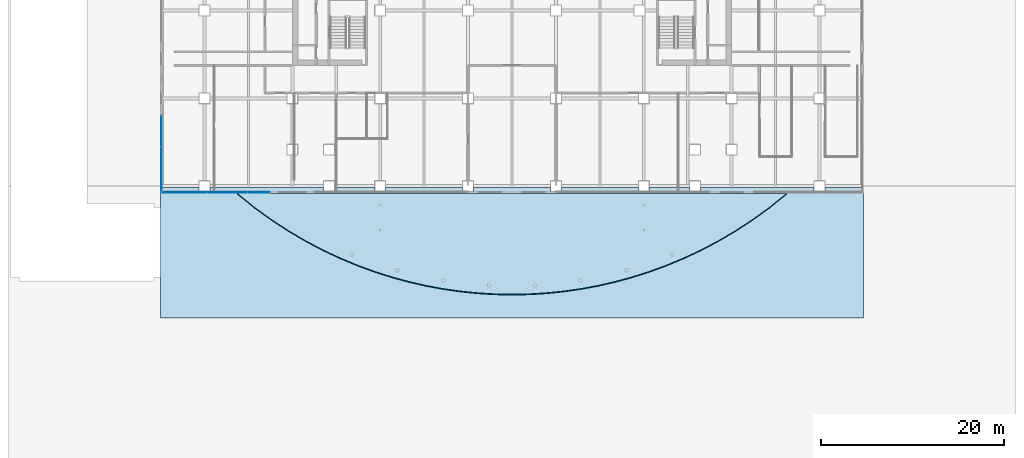
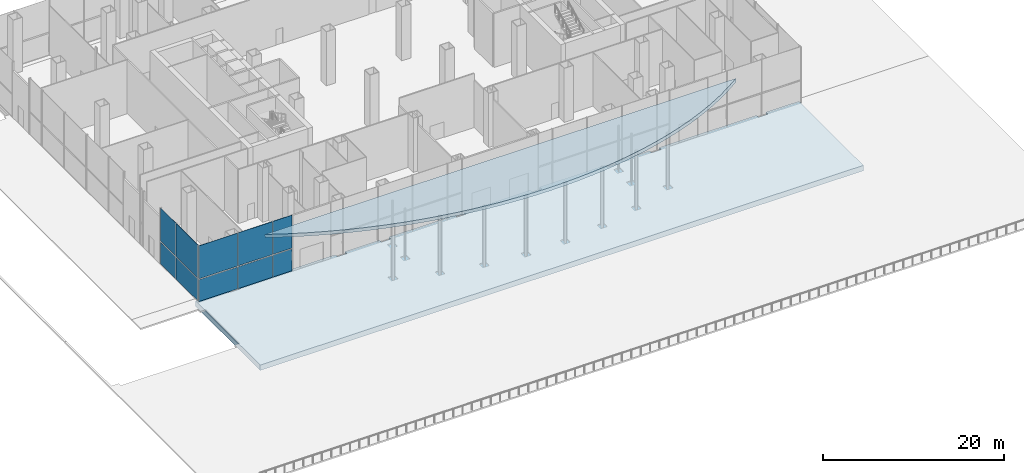
# One storey, part 20 of 36: 10 plates, 2 slabs, 2 elements without a shape of their own.
"""IFC4 building model written with IfcOpenShell, lengths in metres."""

from ifc_helpers import new_model, si_unit, direction, frame, origin, origin_2d, place, context, subcontext, project, spatial, polyline, rectangle, outline, extrude, material, layer, layer_set, type_object, element, aggregate, save


model = new_model("IFC4")

# Units and contexts
model_context = context("Model", 3, precision=1e-05, world=origin(), true_north=direction((0.0, 1.0)))
body_context = subcontext(model_context, "Body", "Model", "MODEL_VIEW")
ifc_project = project(units=[si_unit("LENGTHUNIT", "METRE"), si_unit("AREAUNIT", "SQUARE_METRE"), si_unit("VOLUMEUNIT", "CUBIC_METRE"), si_unit("PLANEANGLEUNIT", "RADIAN"), si_unit("MASSUNIT", "GRAM", prefix="KILO")], contexts=[model_context])

# Site, building, storey
site_placement = place(None, origin())
site = spatial("IfcSite", under=ifc_project, at=site_placement, CompositionType="ELEMENT")
building_placement = place(site_placement, origin())
building = spatial("IfcBuilding", under=site, at=building_placement, Name="Cobrizo Arcos Hotel Tower", CompositionType="ELEMENT")
storey_placement = place(building_placement, origin())
storey = spatial("IfcBuildingStorey", under=building, at=storey_placement, Name="L00", CompositionType="ELEMENT", Elevation=0.0)

# Curtain wall, plates
ifc_material_1 = material(Name="Aluminium 6063-T6 anodised bronze", Category="aluminium")
curtain_wall_type_1 = type_object("IfcCurtainWallType", Name="CW-A guest facade", PredefinedType="NOTDEFINED", material=ifc_material_1)
curtain_wall_1_placement = place(storey_placement, origin())
curtain_wall_1 = element("IfcCurtainWall", 1, at=curtain_wall_1_placement, inside=storey, type_object=curtain_wall_type_1, Name="CW-A L00 S face", PredefinedType="NOTDEFINED")
ifc_material_2 = material(Name="Glass clear laminated low-e", Category="glass")
ifc_layer_1 = layer(ifc_material_2, 0.0400390625)
ifc_layer_set_1 = layer_set([ifc_layer_1], Name="CW-A glass panel")
plate_type_1 = type_object("IfcPlateType", Name="CW-A glass panel", PredefinedType="CURTAIN_PANEL", material=ifc_layer_set_1)
plate_1_placement = place(storey_placement, frame((-35.839111328125, -24.675048828125, 0.0), z_axis=(0.0, 0.0, 1.0), x_axis=(1.0, 0.0, 0.0)))
plate_1 = element("IfcPlate", 2, at=plate_1_placement, type_object=plate_type_1, Name="CW-A glass panel 37", PredefinedType="CURTAIN_PANEL", context=body_context, shape_type="SweptSolid", body=[
    extrude(rectangle(XDim=4.95166015625, YDim=0.0400390625, at=origin_2d()), origin(), (0.0, 0.0, 1.0), 2.93994140625),
])
plate_2_placement = place(storey_placement, frame((-35.839111328125, -24.675048828125, 3.06005859375), z_axis=(0.0, 0.0, 1.0), x_axis=(1.0, 0.0, 0.0)))
plate_2 = element("IfcPlate", 3, at=plate_2_placement, type_object=plate_type_1, Name="CW-A glass panel 37", PredefinedType="CURTAIN_PANEL", context=body_context, shape_type="SweptSolid", body=[
    extrude(rectangle(XDim=4.95166015625, YDim=0.0400390625, at=origin_2d()), origin(), (0.0, 0.0, 1.0), 4.43994140625),
])
plate_3_placement = place(storey_placement, frame((-31.111083984375, -24.675048828125, 0.0), z_axis=(0.0, 0.0, 1.0), x_axis=(1.0, 0.0, 0.0)))
plate_3 = element("IfcPlate", 4, at=plate_3_placement, type_object=plate_type_1, Name="CW-A glass panel 38", PredefinedType="CURTAIN_PANEL", context=body_context, shape_type="SweptSolid", body=[
    extrude(rectangle(XDim=4.384521484375, YDim=0.0400390625, at=origin_2d()), origin(), (0.0, 0.0, 1.0), 2.93994140625),
])
plate_4_placement = place(storey_placement, frame((-31.111083984375, -24.675048828125, 3.06005859375), z_axis=(0.0, 0.0, 1.0), x_axis=(1.0, 0.0, 0.0)))
plate_4 = element("IfcPlate", 5, at=plate_4_placement, type_object=plate_type_1, Name="CW-A glass panel 38", PredefinedType="CURTAIN_PANEL", context=body_context, shape_type="SweptSolid", body=[
    extrude(rectangle(XDim=4.384521484375, YDim=0.0400390625, at=origin_2d()), origin(), (0.0, 0.0, 1.0), 4.43994140625),
])
plate_5_placement = place(storey_placement, frame((-27.659423828125, -24.675048828125, 0.0), z_axis=(0.0, 0.0, 1.0), x_axis=(1.0, 0.0, 0.0)))
plate_5 = element("IfcPlate", 6, at=plate_5_placement, type_object=plate_type_1, Name="CW-A glass panel 39", PredefinedType="CURTAIN_PANEL", context=body_context, shape_type="SweptSolid", body=[
    extrude(rectangle(XDim=2.39892578125, YDim=0.0400390625, at=origin_2d()), origin(), (0.0, 0.0, 1.0), 2.93994140625),
])
plate_6_placement = place(storey_placement, frame((-27.659423828125, -24.675048828125, 3.06005859375), z_axis=(0.0, 0.0, 1.0), x_axis=(1.0, 0.0, 0.0)))
plate_6 = element("IfcPlate", 7, at=plate_6_placement, type_object=plate_type_1, Name="CW-A glass panel 39", PredefinedType="CURTAIN_PANEL", context=body_context, shape_type="SweptSolid", body=[
    extrude(rectangle(XDim=2.39892578125, YDim=0.0400390625, at=origin_2d()), origin(), (0.0, 0.0, 1.0), 4.43994140625),
])
aggregate(curtain_wall_1, [plate_1, plate_2, plate_3, plate_4, plate_5, plate_6])

curtain_wall_type_2 = type_object("IfcCurtainWallType", Name="CW-B podium glazing", PredefinedType="NOTDEFINED", material=ifc_material_1)
curtain_wall_2_placement = place(storey_placement, origin())
curtain_wall_2 = element("IfcCurtainWall", 8, at=curtain_wall_2_placement, inside=storey, type_object=curtain_wall_type_2, Name="CW-B L00 W face", PredefinedType="NOTDEFINED")
ifc_layer_2 = layer(ifc_material_2, 0.0400390625)
ifc_layer_set_2 = layer_set([ifc_layer_2], Name="CW-B glass panel")
plate_type_2 = type_object("IfcPlateType", Name="CW-B glass panel", PredefinedType="CURTAIN_PANEL", material=ifc_layer_set_2)
plate_7_placement = place(storey_placement, frame((-38.300048828125, -17.9599609375, 0.0), z_axis=(0.0, 0.0, 1.0), x_axis=(0.0, -1.0, 0.0)))
plate_7 = element("IfcPlate", 9, at=plate_7_placement, type_object=plate_type_2, Name="CW-B glass panel 35", PredefinedType="CURTAIN_PANEL", context=body_context, shape_type="SweptSolid", body=[
    extrude(rectangle(XDim=3.360107421875, YDim=0.0400390625, at=origin_2d()), origin(), (0.0, 0.0, 1.0), 2.919921875),
])
plate_8_placement = place(storey_placement, frame((-38.300048828125, -17.9599609375, 3.080078125), z_axis=(0.0, 0.0, 1.0), x_axis=(0.0, -1.0, 0.0)))
plate_8 = element("IfcPlate", 10, at=plate_8_placement, type_object=plate_type_2, Name="CW-B glass panel 35", PredefinedType="CURTAIN_PANEL", context=body_context, shape_type="SweptSolid", body=[
    extrude(rectangle(XDim=3.360107421875, YDim=0.0400390625, at=origin_2d()), origin(), (0.0, 0.0, 1.0), 4.419921875),
])
plate_9_placement = place(storey_placement, frame((-38.300048828125, -22.1201171875, 0.0), z_axis=(0.0, 0.0, 1.0), x_axis=(0.0, -1.0, 0.0)))
plate_9 = element("IfcPlate", 11, at=plate_9_placement, type_object=plate_type_2, Name="CW-B glass panel 36", PredefinedType="CURTAIN_PANEL", context=body_context, shape_type="SweptSolid", body=[
    extrude(rectangle(XDim=4.800048828125, YDim=0.0400390625, at=origin_2d()), origin(), (0.0, 0.0, 1.0), 2.919921875),
])
plate_10_placement = place(storey_placement, frame((-38.300048828125, -22.1201171875, 3.080078125), z_axis=(0.0, 0.0, 1.0), x_axis=(0.0, -1.0, 0.0)))
plate_10 = element("IfcPlate", 12, at=plate_10_placement, type_object=plate_type_2, Name="CW-B glass panel 36", PredefinedType="CURTAIN_PANEL", context=body_context, shape_type="SweptSolid", body=[
    extrude(rectangle(XDim=4.800048828125, YDim=0.0400390625, at=origin_2d()), origin(), (0.0, 0.0, 1.0), 4.419921875),
])
aggregate(curtain_wall_2, [plate_7, plate_8, plate_9, plate_10])

# Slabs
ifc_material_3 = material(Name="Reinforced concrete C40/50", Category="concrete")
ifc_layer_3 = layer(ifc_material_3, 0.721923828125)
ifc_layer_set_3 = layer_set([ifc_layer_3], Name="Promenade deck slab 722")
slab_type_1 = type_object("IfcSlabType", Name="Promenade deck slab 722", PredefinedType="FLOOR", material=ifc_layer_set_3)
slab_1_placement = place(storey_placement, frame((0.0, 0.0, -0.92236328125)))
element("IfcSlab", 13, at=slab_1_placement, inside=storey, type_object=slab_type_1, Name="Promenade deck 1", PredefinedType="FLOOR", context=body_context, shape_type="SweptSolid", body=[
    extrude(outline(polyline([(-38.39990234375, -38.39990234375), (-38.39990234375, -24.159912109375), (-34.199951171875, -24.159912109375), (-34.199951171875, -24.60009765625), (-33.0, -24.60009765625), (-33.0, -24.159912109375), (-20.60009765625, -24.159912109375), (-20.60009765625, -24.60009765625), (-19.39990234375, -24.60009765625), (-19.39990234375, -24.159912109375), (-15.0, -24.159912109375), (-15.0, -24.60009765625), (-13.800048828125, -24.60009765625), (-13.800048828125, -24.159912109375), (-5.39990234375, -24.159912109375), (-5.39990234375, -24.60009765625), (-4.199951171875, -24.60009765625), (-4.199951171875, -24.159912109375), (4.199951171875, -24.159912109375), (4.199951171875, -24.60009765625), (5.39990234375, -24.60009765625), (5.39990234375, -24.159912109375), (13.800048828125, -24.159912109375), (13.800048828125, -24.60009765625), (15.0, -24.60009765625), (15.0, -24.159912109375), (19.39990234375, -24.159912109375), (19.39990234375, -24.60009765625), (20.60009765625, -24.60009765625), (20.60009765625, -24.159912109375), (33.0, -24.159912109375), (33.0, -24.60009765625), (34.199951171875, -24.60009765625), (34.199951171875, -24.159912109375), (38.39990234375, -24.159912109375), (38.39990234375, -38.39990234375), (-38.39990234375, -38.39990234375)])), origin(), (0.0, 0.0, 1.0), 0.722412109375),
])
ifc_layer_4 = layer(ifc_material_3, 0.39990234375)
ifc_layer_set_4 = layer_set([ifc_layer_4], Name="Waterfront ribbon canopy 400")
slab_type_2 = type_object("IfcSlabType", Name="Waterfront ribbon canopy 400", PredefinedType="ROOF", material=ifc_layer_set_4)
slab_2_placement = place(storey_placement, frame((-30.0, -24.800048828125, 6.199951171875), z_axis=(0.0, 0.221628374178, 0.975131203356), x_axis=(1.0, 0.0, 0.0)))
element("IfcSlab", 14, at=slab_2_placement, inside=storey, type_object=slab_type_2, Name="Waterfront ribbon canopy", PredefinedType="ROOF", context=body_context, shape_type="SweptSolid", body=[
    extrude(outline(polyline([(0.0, 0.0), (60.0, 0.0), (58.125, -1.5452769521697187), (56.25, -2.9357978778664573), (54.375, -4.187664937979291), (52.5, -5.313030496847104), (50.625, -6.322304691146592), (48.75, -7.223322167363133), (46.875, -8.02275969958239), (45.0, -8.726017134385508), (43.125, -9.337650258767434), (41.25, -9.860970405526105), (39.375, -10.29936465113153), (37.5, -10.654845765694846), (35.625, -10.929772805448211), (33.75, -11.124805869326167), (31.875, -11.241719658298404), (30.0, -11.280514172364924), (28.125, -11.241719658298404), (26.25, -11.124805869326167), (24.375, -10.929772805448211), (22.5, -10.654845765694846), (20.625, -10.29936465113153), (18.75, -9.860970405526105), (16.875, -9.337650258767434), (15.0, -8.726017134385508), (13.125, -8.02275969958239), (11.25, -7.223322167363133), (9.375, -6.322304691146592), (7.5, -5.313030496847104), (5.625, -4.187664937979291), (3.75, -2.9357978778664573), (1.875, -1.5452769521697187), (0.0, 0.0)])), origin(), (0.0, 0.0, -1.0), 0.39990234375),
])

save(model, "model.ifc")
